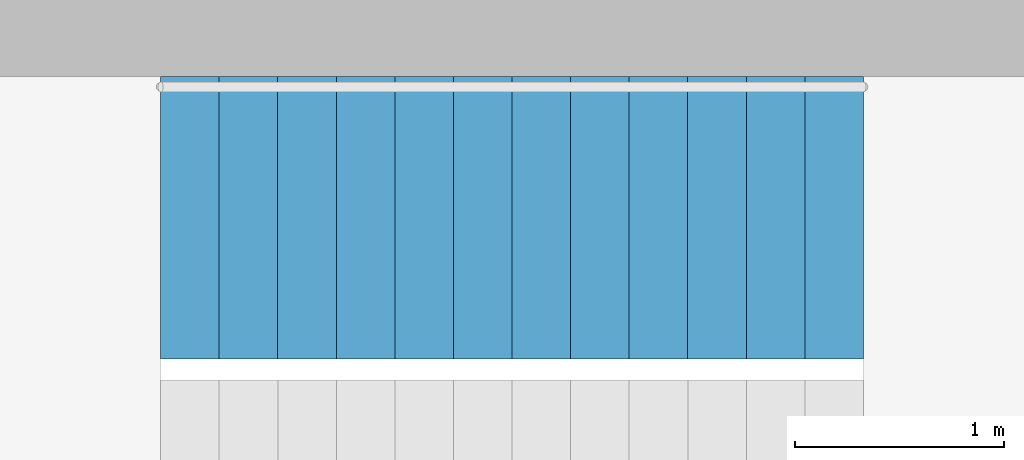
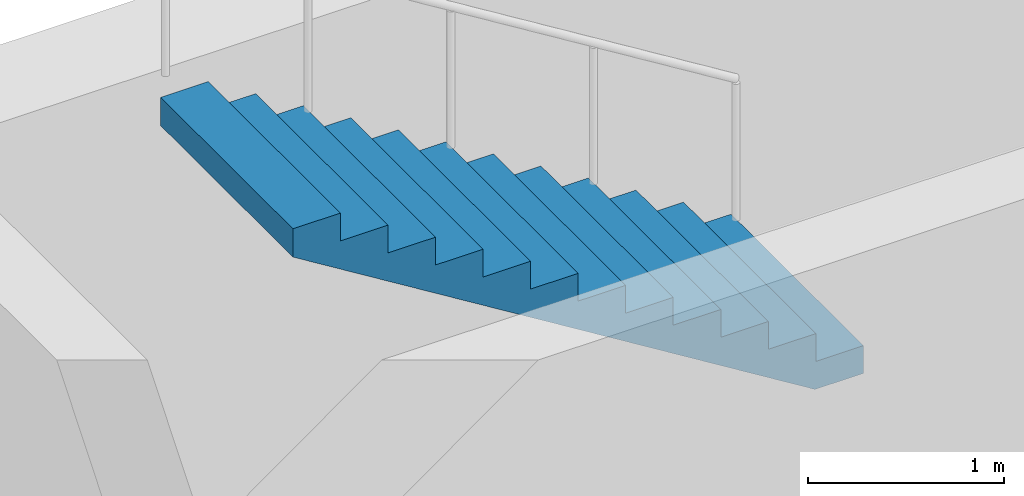
# One storey, part 3 of 4: 1 stair flight, 1 element without a shape of its own.
"""IFC4 building model written with IfcOpenShell, lengths in metres."""

from ifc_helpers import new_model, si_unit, direction, frame, origin, place, context, subcontext, project, spatial, polyline, outline, extrude, material, type_object, element, aggregate, save


model = new_model("IFC4")

# Units and contexts
model_context = context("Model", 3, precision=1e-05, world=origin(), true_north=direction((0.0, 1.0)))
body_context = subcontext(model_context, "Body", "Model", "MODEL_VIEW")
ifc_project = project(units=[si_unit("LENGTHUNIT", "METRE"), si_unit("AREAUNIT", "SQUARE_METRE"), si_unit("VOLUMEUNIT", "CUBIC_METRE"), si_unit("PLANEANGLEUNIT", "RADIAN"), si_unit("MASSUNIT", "GRAM", prefix="KILO")], contexts=[model_context])

# Site, building, storey
site_placement = place(None, origin())
site = spatial("IfcSite", under=ifc_project, at=site_placement, CompositionType="ELEMENT")
building_placement = place(site_placement, origin())
building = spatial("IfcBuilding", under=site, at=building_placement, Name="Skarvind Civic Tower", CompositionType="ELEMENT")
storey_placement = place(building_placement, frame((0.0, 0.0, 282.0)))
storey = spatial("IfcBuildingStorey", under=building, at=storey_placement, Name="L67", CompositionType="ELEMENT", Elevation=282.0)

# Stair, stair flight
ifc_material = material(Name="Concrete C40/50", Category="concrete")
stair_type = type_object("IfcStairType", Name="Exit stair, half-turn, concrete", PredefinedType="HALF_TURN_STAIR", material=ifc_material)
stair_placement = place(storey_placement, origin())
stair = element("IfcStair", 1, at=stair_placement, inside=storey, type_object=stair_type, Name="Exit stair C1S", PredefinedType="HALF_TURN_STAIR")
stair_flight_type = type_object("IfcStairFlightType", Name="Stair flight, concrete", PredefinedType="STRAIGHT", material=ifc_material)
stair_flight_placement = place(storey_placement, frame((104.7099609375, 137.72509765625, 2.25), z_axis=(0.0, 0.0, 1.0), x_axis=(-1.0, 0.0, 0.0)))
stair_flight = element("IfcStairFlight", 2, at=stair_flight_placement, type_object=stair_flight_type, Name="ST-C1S flight 2", NumberOfRisers=13, NumberOfTreads=12, PredefinedType="STRAIGHT", RiserHeight=0.173076923, TreadLength=0.28, context=body_context, shape_type="SweptSolid", body=[
    extrude(outline(polyline([(0.0, 0.0), (0.0, 0.173095703125), (0.280029296875, 0.173095703125), (0.280029296875, 0.34619140625), (0.56005859375, 0.34619140625), (0.56005859375, 0.519287109375), (0.840087890625, 0.519287109375), (0.840087890625, 0.6923828125), (1.1201171875, 0.6923828125), (1.1201171875, 0.865478515625), (1.39990234375, 0.865478515625), (1.39990234375, 1.03857421875), (1.679931640625, 1.03857421875), (1.679931640625, 1.21142578125), (1.9599609375, 1.21142578125), (1.9599609375, 1.384521484375), (2.239990234375, 1.384521484375), (2.239990234375, 1.5576171875), (2.52001953125, 1.5576171875), (2.52001953125, 1.730712890625), (2.800048828125, 1.730712890625), (2.800048828125, 1.90380859375), (3.080078125, 1.90380859375), (3.080078125, 2.076904296875), (3.360107421875, 2.076904296875), (3.360107421875, 2.25), (3.360107421875, 1.900634765625), (0.28515625, 0.0), (0.0, 0.0)])), frame((0.0, 0.675048828125, 0.0), z_axis=(0.0, -1.0, 0.0), x_axis=(1.0, 0.0, 0.0)), (0.0, 0.0, 1.0), 1.35009765625),
])
aggregate(stair, [stair_flight])

save(model, "model.ifc")
